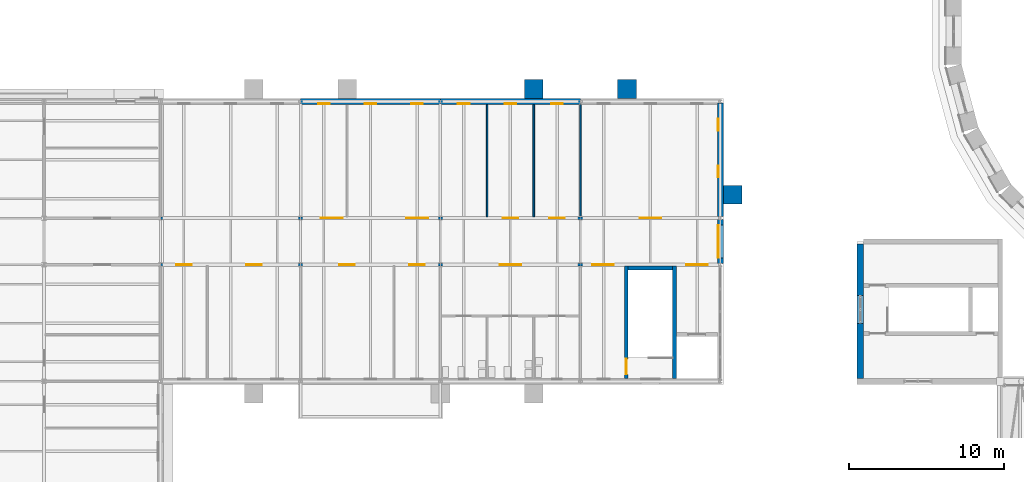
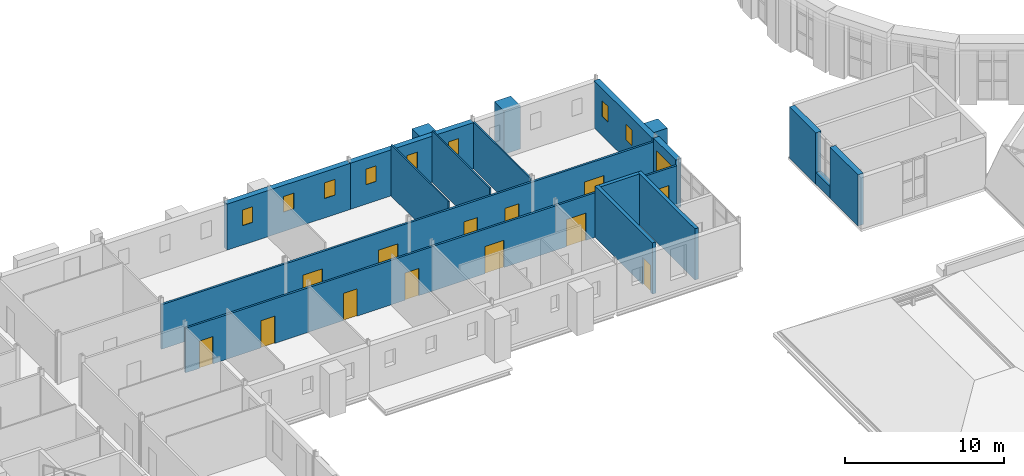
# One storey, part 94 of 121: 18 walls, 13 doors, 9 windows, 22 openings.
"""IFC4 building model written with IfcOpenShell, lengths in metres."""

from ifc_helpers import new_model, si_unit, direction, frame, frame_2d, origin, place, context, subcontext, project, spatial, rectangle, extrude, material, layer, layer_set, type_object, element, fill, save


model = new_model("IFC4")

# Units and contexts
model_context = context("Model", 3, precision=1e-05, world=origin(), true_north=direction((0.0, 1.0)))
body_context = subcontext(model_context, "Body", "Model", "MODEL_VIEW")
ifc_project = project(units=[si_unit("LENGTHUNIT", "METRE"), si_unit("AREAUNIT", "SQUARE_METRE"), si_unit("VOLUMEUNIT", "CUBIC_METRE"), si_unit("PLANEANGLEUNIT", "RADIAN"), si_unit("MASSUNIT", "GRAM", prefix="KILO")], contexts=[model_context])

# Site, building, storey
site_placement = place(None, origin())
site = spatial("IfcSite", under=ifc_project, at=site_placement, CompositionType="ELEMENT")
building_placement = place(site_placement, origin())
building = spatial("IfcBuilding", under=site, at=building_placement, Name="Golden Quay Civic Hall", CompositionType="ELEMENT")
storey_placement = place(building_placement, frame((0.0, 0.0, 18.60009765625)))
storey = spatial("IfcBuildingStorey", under=building, at=storey_placement, Name="L04", CompositionType="ELEMENT", Elevation=18.60009765625)

# Wall, openings, windows
ifc_material_1 = material(Name="Brick, dark clay facing", Category="masonry")
ifc_layer_1 = layer(ifc_material_1, 0.39990234375)
ifc_layer_set_1 = layer_set([ifc_layer_1], Name="Brick external wall 400")
wall_type_1 = type_object("IfcWallType", Name="Brick external wall 400", PredefinedType="STANDARD", material=ifc_layer_set_1)
wall_1_placement = place(storey_placement, frame((27.00830078125, 81.0, 0.0), z_axis=(0.0, 0.0, 1.0), x_axis=(1.0, 0.0, 0.0)))
wall_1 = element("IfcWall", 1, at=wall_1_placement, inside=storey, type_object=wall_type_1, Name="Brick external wall 400 L04 3", PredefinedType="STANDARD", context=body_context, shape_type="SweptSolid", body=[
    extrude(rectangle(XDim=8.9833984375, YDim=0.39990234375, at=frame_2d((4.49169921875, 0.0))), origin(), (0.0, 0.0, 1.0), 3.5498046875),
])
opening_1_placement = place(wall_1_placement, frame((1.11669921875, 0.0, 1.5)))
opening_1 = element("IfcOpeningElement", 2, at=opening_1_placement, cuts=wall_1, Name="Opening WN11", PredefinedType="OPENING", context=body_context, shape_type="SweptSolid", body=[
    extrude(rectangle(XDim=0.75, YDim=1.199951171875, at=frame_2d((0.375, 0.60009765625))), frame((0.0, 0.2099609375, 0.0), z_axis=(0.0, -1.0, 0.0), x_axis=(1.0, 0.0, 0.0)), (0.0, 0.0, 1.0), 0.419921875),
])
opening_2_placement = place(wall_1_placement, frame((4.11669921875, 0.0, 1.5)))
opening_2 = element("IfcOpeningElement", 3, at=opening_2_placement, cuts=wall_1, Name="Opening WN11", PredefinedType="OPENING", context=body_context, shape_type="SweptSolid", body=[
    extrude(rectangle(XDim=0.75, YDim=1.199951171875, at=frame_2d((0.375, 0.60009765625))), frame((0.0, 0.2099609375, 0.0), z_axis=(0.0, -1.0, 0.0), x_axis=(1.0, 0.0, 0.0)), (0.0, 0.0, 1.0), 0.419921875),
])
opening_3_placement = place(wall_1_placement, frame((7.11669921875, 0.0, 1.5)))
opening_3 = element("IfcOpeningElement", 4, at=opening_3_placement, cuts=wall_1, Name="Opening WN11", PredefinedType="OPENING", context=body_context, shape_type="SweptSolid", body=[
    extrude(rectangle(XDim=0.75, YDim=1.199951171875, at=frame_2d((0.375, 0.60009765625))), frame((0.0, 0.2099609375, 0.0), z_axis=(0.0, -1.0, 0.0), x_axis=(1.0, 0.0, 0.0)), (0.0, 0.0, 1.0), 0.419921875),
])
ifc_material_2 = material(Name="Aluminium frame, double glazed", Category="aluminium")
window_type_1 = type_object("IfcWindowType", Name="Attic pair window 750 x 1200", PartitioningType="SINGLE_PANEL", PredefinedType="WINDOW", material=ifc_material_2)
window_1_placement = place(opening_1_placement, origin())
window_1 = element("IfcWindow", 5, at=window_1_placement, inside=storey, type_object=window_type_1, Name="Attic pair window 750 x 1200 L04 4", OverallHeight=1.199951171875, OverallWidth=0.75, PartitioningType="SINGLE_PANEL", PredefinedType="WINDOW", context=body_context, shape_type="SweptSolid", body=[
    extrude(rectangle(XDim=0.75, YDim=1.199951171875, at=frame_2d((0.375, 0.60009765625))), frame((0.0, -0.119873046875, 0.0), z_axis=(0.0, -1.0, 0.0), x_axis=(1.0, 0.0, 0.0)), (0.0, 0.0, 1.0), 0.06005859375),
])
fill(opening_1, window_1)
window_2_placement = place(opening_2_placement, origin())
window_2 = element("IfcWindow", 6, at=window_2_placement, inside=storey, type_object=window_type_1, Name="Attic pair window 750 x 1200 L04 5", OverallHeight=1.199951171875, OverallWidth=0.75, PartitioningType="SINGLE_PANEL", PredefinedType="WINDOW", context=body_context, shape_type="SweptSolid", body=[
    extrude(rectangle(XDim=0.75, YDim=1.199951171875, at=frame_2d((0.375, 0.60009765625))), frame((0.0, -0.119873046875, 0.0), z_axis=(0.0, -1.0, 0.0), x_axis=(1.0, 0.0, 0.0)), (0.0, 0.0, 1.0), 0.06005859375),
])
fill(opening_2, window_2)
window_3_placement = place(opening_3_placement, origin())
window_3 = element("IfcWindow", 7, at=window_3_placement, inside=storey, type_object=window_type_1, Name="Attic pair window 750 x 1200 L04 6", OverallHeight=1.199951171875, OverallWidth=0.75, PartitioningType="SINGLE_PANEL", PredefinedType="WINDOW", context=body_context, shape_type="SweptSolid", body=[
    extrude(rectangle(XDim=0.75, YDim=1.199951171875, at=frame_2d((0.375, 0.60009765625))), frame((0.0, -0.119873046875, 0.0), z_axis=(0.0, -1.0, 0.0), x_axis=(1.0, 0.0, 0.0)), (0.0, 0.0, 1.0), 0.06005859375),
])
fill(opening_3, window_3)

wall_2_placement = place(storey_placement, frame((36.00830078125, 81.0, 0.0), z_axis=(0.0, 0.0, 1.0), x_axis=(1.0, 0.0, 0.0)))
wall_2 = element("IfcWall", 8, at=wall_2_placement, inside=storey, type_object=wall_type_1, Name="Brick external wall 400 L04 4", PredefinedType="STANDARD", context=body_context, shape_type="SweptSolid", body=[
    extrude(rectangle(XDim=8.9833984375, YDim=0.39990234375, at=frame_2d((4.49169921875, 0.0))), origin(), (0.0, 0.0, 1.0), 3.5498046875),
])
opening_4_placement = place(wall_2_placement, frame((1.11669921875, 0.0, 1.5)))
opening_4 = element("IfcOpeningElement", 9, at=opening_4_placement, cuts=wall_2, Name="Opening WN11", PredefinedType="OPENING", context=body_context, shape_type="SweptSolid", body=[
    extrude(rectangle(XDim=0.75, YDim=1.199951171875, at=frame_2d((0.375, 0.60009765625))), frame((0.0, 0.2099609375, 0.0), z_axis=(0.0, -1.0, 0.0), x_axis=(1.0, 0.0, 0.0)), (0.0, 0.0, 1.0), 0.419921875),
])
opening_5_placement = place(wall_2_placement, frame((4.11669921875, 0.0, 1.5)))
opening_5 = element("IfcOpeningElement", 10, at=opening_5_placement, cuts=wall_2, Name="Opening WN11", PredefinedType="OPENING", context=body_context, shape_type="SweptSolid", body=[
    extrude(rectangle(XDim=0.75, YDim=1.199951171875, at=frame_2d((0.375, 0.60009765625))), frame((0.0, 0.2099609375, 0.0), z_axis=(0.0, -1.0, 0.0), x_axis=(1.0, 0.0, 0.0)), (0.0, 0.0, 1.0), 0.419921875),
])
opening_6_placement = place(wall_2_placement, frame((7.11669921875, 0.0, 1.5)))
opening_6 = element("IfcOpeningElement", 11, at=opening_6_placement, cuts=wall_2, Name="Opening WN11", PredefinedType="OPENING", context=body_context, shape_type="SweptSolid", body=[
    extrude(rectangle(XDim=0.75, YDim=1.199951171875, at=frame_2d((0.375, 0.60009765625))), frame((0.0, 0.2099609375, 0.0), z_axis=(0.0, -1.0, 0.0), x_axis=(1.0, 0.0, 0.0)), (0.0, 0.0, 1.0), 0.419921875),
])
window_4_placement = place(opening_4_placement, origin())
window_4 = element("IfcWindow", 12, at=window_4_placement, inside=storey, type_object=window_type_1, Name="Attic pair window 750 x 1200 L04 7", OverallHeight=1.199951171875, OverallWidth=0.75, PartitioningType="SINGLE_PANEL", PredefinedType="WINDOW", context=body_context, shape_type="SweptSolid", body=[
    extrude(rectangle(XDim=0.75, YDim=1.199951171875, at=frame_2d((0.375, 0.60009765625))), frame((0.0, -0.119873046875, 0.0), z_axis=(0.0, -1.0, 0.0), x_axis=(1.0, 0.0, 0.0)), (0.0, 0.0, 1.0), 0.06005859375),
])
fill(opening_4, window_4)
window_5_placement = place(opening_5_placement, origin())
window_5 = element("IfcWindow", 13, at=window_5_placement, inside=storey, type_object=window_type_1, Name="Attic pair window 750 x 1200 L04 8", OverallHeight=1.199951171875, OverallWidth=0.75, PartitioningType="SINGLE_PANEL", PredefinedType="WINDOW", context=body_context, shape_type="SweptSolid", body=[
    extrude(rectangle(XDim=0.75, YDim=1.199951171875, at=frame_2d((0.375, 0.60009765625))), frame((0.0, -0.119873046875, 0.0), z_axis=(0.0, -1.0, 0.0), x_axis=(1.0, 0.0, 0.0)), (0.0, 0.0, 1.0), 0.06005859375),
])
fill(opening_5, window_5)
window_6_placement = place(opening_6_placement, origin())
window_6 = element("IfcWindow", 14, at=window_6_placement, inside=storey, type_object=window_type_1, Name="Attic pair window 750 x 1200 L04 9", OverallHeight=1.199951171875, OverallWidth=0.75, PartitioningType="SINGLE_PANEL", PredefinedType="WINDOW", context=body_context, shape_type="SweptSolid", body=[
    extrude(rectangle(XDim=0.75, YDim=1.199951171875, at=frame_2d((0.375, 0.60009765625))), frame((0.0, -0.119873046875, 0.0), z_axis=(0.0, -1.0, 0.0), x_axis=(1.0, 0.0, 0.0)), (0.0, 0.0, 1.0), 0.06005859375),
])
fill(opening_6, window_6)

# Wall, opening, window
wall_3_placement = place(storey_placement, frame((54.0, 73.405029296875, 0.0), z_axis=(0.0, 0.0, 1.0), x_axis=(0.0, -1.0, 0.0)))
wall_3 = element("IfcWall", 15, at=wall_3_placement, inside=storey, type_object=wall_type_1, Name="Brick external wall 400 L04 6", PredefinedType="STANDARD", context=body_context, shape_type="SweptSolid", body=[
    extrude(rectangle(XDim=2.81005859375, YDim=0.39990234375, at=frame_2d((1.405029296875, 0.0))), origin(), (0.0, 0.0, 1.0), 3.75),
])
opening_7_placement = place(wall_3_placement, frame((0.35498046875, 0.0, 0.89990234375)))
opening_7 = element("IfcOpeningElement", 16, at=opening_7_placement, cuts=wall_3, Name="Opening WN2", PredefinedType="OPENING", context=body_context, shape_type="SweptSolid", body=[
    extrude(rectangle(XDim=2.10009765625, YDim=2.10009765625, at=frame_2d((1.050048828125, 1.050048828125))), frame((0.0, 0.2099609375, 0.0), z_axis=(0.0, -1.0, 0.0), x_axis=(1.0, 0.0, 0.0)), (0.0, 0.0, 1.0), 0.419921875),
])
ifc_material_3 = material(Name="Aluminium frame, double glazed", Category="aluminium")
window_type_2 = type_object("IfcWindowType", Name="Corridor end window 2100 x 2100", PartitioningType="SINGLE_PANEL", PredefinedType="WINDOW", material=ifc_material_3)
window_7_placement = place(opening_7_placement, origin())
window_7 = element("IfcWindow", 17, at=window_7_placement, inside=storey, type_object=window_type_2, Name="Corridor end window 2100 x 2100 L04 1", OverallHeight=2.10009765625, OverallWidth=2.10009765625, PartitioningType="SINGLE_PANEL", PredefinedType="WINDOW", context=body_context, shape_type="SweptSolid", body=[
    extrude(rectangle(XDim=2.10009765625, YDim=2.10009765625, at=frame_2d((1.050048828125, 1.050048828125))), frame((0.0, -0.119873046875, 0.0), z_axis=(0.0, -1.0, 0.0), x_axis=(1.0, 0.0, 0.0)), (0.0, 0.0, 1.0), 0.06005859375),
])
fill(opening_7, window_7)

# Wall, openings, windows
wall_4_placement = place(storey_placement, frame((54.0, 80.905029296875, 0.0), z_axis=(0.0, 0.0, 1.0), x_axis=(0.0, -1.0, 0.0)))
wall_4 = element("IfcWall", 18, at=wall_4_placement, inside=storey, type_object=wall_type_1, Name="Brick external wall 400 L04 7", PredefinedType="STANDARD", context=body_context, shape_type="SweptSolid", body=[
    extrude(rectangle(XDim=7.31005859375, YDim=0.39990234375, at=frame_2d((3.655029296875, 0.0))), origin(), (0.0, 0.0, 1.0), 3.619873046875),
])
opening_8_placement = place(wall_4_placement, frame((4.030029296875, 0.0, 1.5)))
opening_8 = element("IfcOpeningElement", 19, at=opening_8_placement, cuts=wall_4, Name="Opening WN11", PredefinedType="OPENING", context=body_context, shape_type="SweptSolid", body=[
    extrude(rectangle(XDim=0.75, YDim=1.199951171875, at=frame_2d((0.375, 0.60009765625))), frame((0.0, 0.2099609375, 0.0), z_axis=(0.0, -1.0, 0.0), x_axis=(1.0, 0.0, 0.0)), (0.0, 0.0, 1.0), 0.419921875),
])
opening_9_placement = place(wall_4_placement, frame((1.030029296875, 0.0, 1.5)))
opening_9 = element("IfcOpeningElement", 20, at=opening_9_placement, cuts=wall_4, Name="Opening WN11", PredefinedType="OPENING", context=body_context, shape_type="SweptSolid", body=[
    extrude(rectangle(XDim=0.75, YDim=1.199951171875, at=frame_2d((0.375, 0.60009765625))), frame((0.0, 0.2099609375, 0.0), z_axis=(0.0, -1.0, 0.0), x_axis=(1.0, 0.0, 0.0)), (0.0, 0.0, 1.0), 0.419921875),
])
window_8_placement = place(opening_8_placement, origin())
window_8 = element("IfcWindow", 21, at=window_8_placement, inside=storey, type_object=window_type_1, Name="Attic pair window 750 x 1200 L04 13", OverallHeight=1.199951171875, OverallWidth=0.75, PartitioningType="SINGLE_PANEL", PredefinedType="WINDOW", context=body_context, shape_type="SweptSolid", body=[
    extrude(rectangle(XDim=0.75, YDim=1.199951171875, at=frame_2d((0.375, 0.60009765625))), frame((0.0, -0.119873046875, 0.0), z_axis=(0.0, -1.0, 0.0), x_axis=(1.0, 0.0, 0.0)), (0.0, 0.0, 1.0), 0.06005859375),
])
fill(opening_8, window_8)
window_9_placement = place(opening_9_placement, origin())
window_9 = element("IfcWindow", 22, at=window_9_placement, inside=storey, type_object=window_type_1, Name="Attic pair window 750 x 1200 L04 14", OverallHeight=1.199951171875, OverallWidth=0.75, PartitioningType="SINGLE_PANEL", PredefinedType="WINDOW", context=body_context, shape_type="SweptSolid", body=[
    extrude(rectangle(XDim=0.75, YDim=1.199951171875, at=frame_2d((0.375, 0.60009765625))), frame((0.0, -0.119873046875, 0.0), z_axis=(0.0, -1.0, 0.0), x_axis=(1.0, 0.0, 0.0)), (0.0, 0.0, 1.0), 0.06005859375),
])
fill(opening_9, window_9)

# Walls
ifc_material_4 = material(Name="Brick, dark clay facing", Category="masonry")
ifc_layer_2 = layer(ifc_material_4, 1.199951171875)
ifc_layer_set_2 = layer_set([ifc_layer_2], Name="Brick pilaster 1200 x 1200")
wall_type_2 = type_object("IfcWallType", Name="Brick pilaster 1200 x 1200", PredefinedType="STANDARD", material=ifc_layer_set_2)
for number, where, z_axis, x_axis, name in (
    (23, (41.39990234375, 81.800048828125, 0.0), (0.0, 0.0, 1.0), (1.0, 0.0, 0.0), "Brick pilaster 1200 x 1200 L04 3"),
    (24, (47.39990234375, 81.800048828125, 0.0), (0.0, 0.0, 1.0), (1.0, 0.0, 0.0), "Brick pilaster 1200 x 1200 L04 4"),
    (25, (54.800048828125, 74.39990234375, 0.0), (0.0, 0.0, 1.0), (0.0, 1.0, 0.0), "Brick pilaster 1200 x 1200 L04 5"),
):
    element("IfcWall", number, at=place(storey_placement, frame(where, z_axis=z_axis, x_axis=x_axis)), inside=storey, type_object=wall_type_2, Name=name, PredefinedType="STANDARD", context=body_context, shape_type="SweptSolid", body=[
        extrude(rectangle(XDim=1.2001953125, YDim=1.199951171875, at=frame_2d((0.60009765625, 0.0))), origin(), (0.0, 0.0, 1.0), 3.349853515625),
    ])

# Wall, opening, door
ifc_material_5 = material(Name="Concrete C40/50", Category="concrete")
ifc_layer_3 = layer(ifc_material_5, 0.25)
ifc_layer_set_3 = layer_set([ifc_layer_3], Name="Concrete core wall 250, Concrete C40/50")
wall_type_3 = type_object("IfcWallType", Name="Concrete core wall 250", PredefinedType="SHEAR", material=ifc_layer_set_3)
wall_5_placement = place(storey_placement, frame((47.949951171875, 63.199951171875, 0.0), z_axis=(0.0, 0.0, 1.0), x_axis=(0.0, 1.0, 0.0)))
wall_5 = element("IfcWall", 26, at=wall_5_placement, inside=storey, type_object=wall_type_3, Name="Core wall NW-E-W1", PredefinedType="SHEAR", context=body_context, shape_type="SweptSolid", body=[
    extrude(rectangle(XDim=7.22509765625, YDim=0.25, at=frame_2d((3.612548828125, 0.0))), origin(), (0.0, 0.0, 1.0), 3.949951171875),
])
opening_10_placement = place(wall_5_placement, frame((0.25, 0.0, 0.0)))
opening_10 = element("IfcOpeningElement", 27, at=opening_10_placement, cuts=wall_5, Name="Opening L04-D057", PredefinedType="OPENING", context=body_context, shape_type="SweptSolid", body=[
    extrude(rectangle(XDim=1.0, YDim=2.10009765625, at=frame_2d((0.5, 1.050048828125))), frame((0.0, 0.135009765625, 0.0), z_axis=(0.0, -1.0, 0.0), x_axis=(1.0, 0.0, 0.0)), (0.0, 0.0, 1.0), 0.27001953125),
])
ifc_material_6 = material(Name="Steel", Category="steel")
door_type_1 = type_object("IfcDoorType", Name="Steel fire door FD60 1000 x 2100", OperationType="SINGLE_SWING_LEFT", PredefinedType="DOOR", material=ifc_material_6)
door_1_placement = place(opening_10_placement, frame((1.0, 0.0, 0.0), z_axis=(0.0, 0.0, 1.0), x_axis=(-1.0, 0.0, 0.0)))
door_1 = element("IfcDoor", 28, at=door_1_placement, inside=storey, type_object=door_type_1, Name="Door L04-D057", OperationType="SINGLE_SWING_RIGHT", OverallHeight=2.10009765625, OverallWidth=1.0, PredefinedType="DOOR", context=body_context, shape_type="SweptSolid", body=[
    extrude(rectangle(XDim=1.0, YDim=2.10009765625, at=frame_2d((0.5, 1.050048828125))), frame((0.0, 0.025146484375, 0.0), z_axis=(0.0, -1.0, 0.0), x_axis=(1.0, 0.0, 0.0)), (0.0, 0.0, 1.0), 0.050048828125),
])
fill(opening_10, door_1)

# Walls
wall_6_placement = place(storey_placement, frame((51.050048828125, 63.199951171875, 0.0), z_axis=(0.0, 0.0, 1.0), x_axis=(0.0, 1.0, 0.0)))
element("IfcWall", 29, at=wall_6_placement, inside=storey, type_object=wall_type_3, Name="Core wall NW-E-W2", PredefinedType="SHEAR", context=body_context, shape_type="SweptSolid", body=[
    extrude(rectangle(XDim=7.22509765625, YDim=0.25, at=frame_2d((3.612548828125, 0.0))), origin(), (0.0, 0.0, 1.0), 3.949951171875),
])
wall_7_placement = place(storey_placement, frame((48.074951171875, 70.300048828125, 0.0), z_axis=(0.0, 0.0, 1.0), x_axis=(1.0, 0.0, 0.0)))
element("IfcWall", 30, at=wall_7_placement, inside=storey, type_object=wall_type_3, Name="Core wall NW-E-W3", PredefinedType="SHEAR", context=body_context, shape_type="SweptSolid", body=[
    extrude(rectangle(XDim=2.85009765625, YDim=0.25, at=frame_2d((1.425048828125, 0.0))), origin(), (0.0, 0.0, 1.0), 3.949951171875),
])
ifc_material_7 = material(Name="Plasterboard on steel studs", Category="steel")
ifc_layer_4 = layer(ifc_material_7, 0.10009765625)
ifc_layer_set_4 = layer_set([ifc_layer_4], Name="Partition 100 stud")
wall_type_4 = type_object("IfcWallType", Name="Partition 100 stud", PredefinedType="PARTITIONING", material=ifc_layer_set_4)
for number, where, z_axis, x_axis, name in (
    (31, (39.0, 73.574951171875, 0.0), (0.0, 0.0, 1.0), (0.0, 1.0, 0.0), "Partition L04-005"),
    (32, (42.0, 73.574951171875, 0.0), (0.0, 0.0, 1.0), (0.0, 1.0, 0.0), "Partition L04-006"),
):
    element("IfcWall", number, at=place(storey_placement, frame(where, z_axis=z_axis, x_axis=x_axis)), inside=storey, type_object=wall_type_4, Name=name, PredefinedType="PARTITIONING", context=body_context, shape_type="SweptSolid", body=[
        extrude(rectangle(XDim=7.22509765625, YDim=0.10009765625, at=frame_2d((3.612548828125, 0.0))), origin(), (0.0, 0.0, 1.0), 3.949951171875),
    ])
wall_8_placement = place(storey_placement, frame((45.0, 73.574951171875, 0.0), z_axis=(0.0, 0.0, 1.0), x_axis=(0.0, 1.0, 0.0)))
element("IfcWall", 33, at=wall_8_placement, inside=storey, type_object=wall_type_4, Name="Partition L04-007", PredefinedType="PARTITIONING", context=body_context, shape_type="SweptSolid", body=[
    extrude(rectangle(XDim=7.22509765625, YDim=0.10009765625, at=frame_2d((3.612548828125, 0.0))), origin(), (0.0, 0.0, 1.0), 3.599853515625),
])

# Wall, openings, doors
ifc_material_8 = material(Name="Plasterboard on steel studs", Category="steel")
ifc_layer_5 = layer(ifc_material_8, 0.14990234375)
ifc_layer_set_5 = layer_set([ifc_layer_5], Name="Partition 150 stud fire EI 60")
wall_type_5 = type_object("IfcWallType", Name="Partition 150 stud fire EI 60", PredefinedType="PARTITIONING", material=ifc_layer_set_5)
wall_9_placement = place(storey_placement, frame((18.0, 70.5, 0.0), z_axis=(0.0, 0.0, 1.0), x_axis=(1.0, 0.0, 0.0)))
wall_9 = element("IfcWall", 34, at=wall_9_placement, inside=storey, type_object=wall_type_5, Name="Partition L04-009", PredefinedType="PARTITIONING", context=body_context, shape_type="SweptSolid", body=[
    extrude(rectangle(XDim=35.800048828125, YDim=0.14990234375, at=frame_2d((17.89990234375, 0.0))), origin(), (0.0, 0.0, 1.0), 3.429931640625),
])
opening_11_placement = place(wall_9_placement, frame((1.0, 0.0, 0.0)))
opening_11 = element("IfcOpeningElement", 35, at=opening_11_placement, cuts=wall_9, Name="Opening L04-D044", PredefinedType="OPENING", context=body_context, shape_type="SweptSolid", body=[
    extrude(rectangle(XDim=1.0, YDim=2.10009765625, at=frame_2d((0.5, 1.050048828125))), frame((0.0, 0.0849609375, 0.0), z_axis=(0.0, -1.0, 0.0), x_axis=(1.0, 0.0, 0.0)), (0.0, 0.0, 1.0), 0.169921875),
])
opening_12_placement = place(wall_9_placement, frame((5.5, 0.0, 0.0)))
opening_12 = element("IfcOpeningElement", 36, at=opening_12_placement, cuts=wall_9, Name="Opening L04-D045", PredefinedType="OPENING", context=body_context, shape_type="SweptSolid", body=[
    extrude(rectangle(XDim=1.0, YDim=2.10009765625, at=frame_2d((0.5, 1.050048828125))), frame((0.0, 0.0849609375, 0.0), z_axis=(0.0, -1.0, 0.0), x_axis=(1.0, 0.0, 0.0)), (0.0, 0.0, 1.0), 0.169921875),
])
opening_13_placement = place(wall_9_placement, frame((11.5, 0.0, 0.0)))
opening_13 = element("IfcOpeningElement", 37, at=opening_13_placement, cuts=wall_9, Name="Opening L04-D046", PredefinedType="OPENING", context=body_context, shape_type="SweptSolid", body=[
    extrude(rectangle(XDim=1.0, YDim=2.10009765625, at=frame_2d((0.5, 1.050048828125))), frame((0.0, 0.0849609375, 0.0), z_axis=(0.0, -1.0, 0.0), x_axis=(1.0, 0.0, 0.0)), (0.0, 0.0, 1.0), 0.169921875),
])
opening_14_placement = place(wall_9_placement, frame((16.0, 0.0, 0.0)))
opening_14 = element("IfcOpeningElement", 38, at=opening_14_placement, cuts=wall_9, Name="Opening L04-D047", PredefinedType="OPENING", context=body_context, shape_type="SweptSolid", body=[
    extrude(rectangle(XDim=1.0, YDim=2.10009765625, at=frame_2d((0.5, 1.050048828125))), frame((0.0, 0.0849609375, 0.0), z_axis=(0.0, -1.0, 0.0), x_axis=(1.0, 0.0, 0.0)), (0.0, 0.0, 1.0), 0.169921875),
])
opening_15_placement = place(wall_9_placement, frame((21.800048828125, 0.0, 0.0)))
opening_15 = element("IfcOpeningElement", 39, at=opening_15_placement, cuts=wall_9, Name="Opening L04-D053", PredefinedType="OPENING", context=body_context, shape_type="SweptSolid", body=[
    extrude(rectangle(XDim=1.39990234375, YDim=2.10009765625, at=frame_2d((0.699951171875, 1.050048828125))), frame((0.0, 0.0849609375, 0.0), z_axis=(0.0, -1.0, 0.0), x_axis=(1.0, 0.0, 0.0)), (0.0, 0.0, 1.0), 0.169921875),
])
opening_16_placement = place(wall_9_placement, frame((27.75, 0.0, 0.0)))
opening_16 = element("IfcOpeningElement", 40, at=opening_16_placement, cuts=wall_9, Name="Opening L04-D058", PredefinedType="OPENING", context=body_context, shape_type="SweptSolid", body=[
    extrude(rectangle(XDim=1.39990234375, YDim=2.10009765625, at=frame_2d((0.699951171875, 1.050048828125))), frame((0.0, 0.0849609375, 0.0), z_axis=(0.0, -1.0, 0.0), x_axis=(1.0, 0.0, 0.0)), (0.0, 0.0, 1.0), 0.169921875),
])
opening_17_placement = place(wall_9_placement, frame((33.800048828125, 0.0, 0.0)))
opening_17 = element("IfcOpeningElement", 41, at=opening_17_placement, cuts=wall_9, Name="Opening L04-D059", PredefinedType="OPENING", context=body_context, shape_type="SweptSolid", body=[
    extrude(rectangle(XDim=1.39990234375, YDim=2.10009765625, at=frame_2d((0.699951171875, 1.050048828125))), frame((0.0, 0.0849609375, 0.0), z_axis=(0.0, -1.0, 0.0), x_axis=(1.0, 0.0, 0.0)), (0.0, 0.0, 1.0), 0.169921875),
])
ifc_material_9 = material(Name="Steel", Category="steel")
door_type_2 = type_object("IfcDoorType", Name="Steel double fire door FD30S 1400 x 2100", OperationType="DOUBLE_DOOR_SINGLE_SWING", PredefinedType="DOOR", material=ifc_material_9)
door_2_placement = place(opening_15_placement, frame((1.39990234375, 0.0, 0.0), z_axis=(0.0, 0.0, 1.0), x_axis=(-1.0, 0.0, 0.0)))
door_2 = element("IfcDoor", 42, at=door_2_placement, inside=storey, type_object=door_type_2, Name="Door L04-D053", OperationType="DOUBLE_DOOR_SINGLE_SWING", OverallHeight=2.10009765625, OverallWidth=1.39990234375, PredefinedType="DOOR", context=body_context, shape_type="SweptSolid", body=[
    extrude(rectangle(XDim=1.39990234375, YDim=2.10009765625, at=frame_2d((0.699951171875, 1.050048828125))), frame((0.0, 0.025146484375, 0.0), z_axis=(0.0, -1.0, 0.0), x_axis=(1.0, 0.0, 0.0)), (0.0, 0.0, 1.0), 0.050048828125),
])
fill(opening_15, door_2)
door_3_placement = place(opening_16_placement, origin())
door_3 = element("IfcDoor", 43, at=door_3_placement, inside=storey, type_object=door_type_2, Name="Door L04-D058", OperationType="DOUBLE_DOOR_SINGLE_SWING", OverallHeight=2.10009765625, OverallWidth=1.39990234375, PredefinedType="DOOR", context=body_context, shape_type="SweptSolid", body=[
    extrude(rectangle(XDim=1.39990234375, YDim=2.10009765625, at=frame_2d((0.699951171875, 1.050048828125))), frame((0.0, 0.02490234375, 0.0), z_axis=(0.0, -1.0, 0.0), x_axis=(1.0, 0.0, 0.0)), (0.0, 0.0, 1.0), 0.050048828125),
])
fill(opening_16, door_3)
door_4_placement = place(opening_17_placement, origin())
door_4 = element("IfcDoor", 44, at=door_4_placement, inside=storey, type_object=door_type_2, Name="Door L04-D059", OperationType="DOUBLE_DOOR_SINGLE_SWING", OverallHeight=2.10009765625, OverallWidth=1.39990234375, PredefinedType="DOOR", context=body_context, shape_type="SweptSolid", body=[
    extrude(rectangle(XDim=1.39990234375, YDim=2.10009765625, at=frame_2d((0.699951171875, 1.050048828125))), frame((0.0, 0.02490234375, 0.0), z_axis=(0.0, -1.0, 0.0), x_axis=(1.0, 0.0, 0.0)), (0.0, 0.0, 1.0), 0.050048828125),
])
fill(opening_17, door_4)
ifc_material_10 = material(Name="Steel", Category="steel")
door_type_3 = type_object("IfcDoorType", Name="Steel fire door FD30S 1000 x 2100", OperationType="SINGLE_SWING_LEFT", PredefinedType="DOOR", material=ifc_material_10)
door_5_placement = place(opening_11_placement, frame((1.0, 0.0, 0.0), z_axis=(0.0, 0.0, 1.0), x_axis=(-1.0, 0.0, 0.0)))
door_5 = element("IfcDoor", 45, at=door_5_placement, inside=storey, type_object=door_type_3, Name="Door L04-D044", OperationType="SINGLE_SWING_RIGHT", OverallHeight=2.10009765625, OverallWidth=1.0, PredefinedType="DOOR", context=body_context, shape_type="SweptSolid", body=[
    extrude(rectangle(XDim=1.0, YDim=2.10009765625, at=frame_2d((0.5, 1.050048828125))), frame((0.0, 0.025146484375, 0.0), z_axis=(0.0, -1.0, 0.0), x_axis=(1.0, 0.0, 0.0)), (0.0, 0.0, 1.0), 0.050048828125),
])
fill(opening_11, door_5)
door_6_placement = place(opening_12_placement, frame((1.0, 0.0, 0.0), z_axis=(0.0, 0.0, 1.0), x_axis=(-1.0, 0.0, 0.0)))
door_6 = element("IfcDoor", 46, at=door_6_placement, inside=storey, type_object=door_type_3, Name="Door L04-D045", OperationType="SINGLE_SWING_RIGHT", OverallHeight=2.10009765625, OverallWidth=1.0, PredefinedType="DOOR", context=body_context, shape_type="SweptSolid", body=[
    extrude(rectangle(XDim=1.0, YDim=2.10009765625, at=frame_2d((0.5, 1.050048828125))), frame((0.0, 0.025146484375, 0.0), z_axis=(0.0, -1.0, 0.0), x_axis=(1.0, 0.0, 0.0)), (0.0, 0.0, 1.0), 0.050048828125),
])
fill(opening_12, door_6)
door_7_placement = place(opening_13_placement, frame((1.0, 0.0, 0.0), z_axis=(0.0, 0.0, 1.0), x_axis=(-1.0, 0.0, 0.0)))
door_7 = element("IfcDoor", 47, at=door_7_placement, inside=storey, type_object=door_type_3, Name="Door L04-D046", OperationType="SINGLE_SWING_RIGHT", OverallHeight=2.10009765625, OverallWidth=1.0, PredefinedType="DOOR", context=body_context, shape_type="SweptSolid", body=[
    extrude(rectangle(XDim=1.0, YDim=2.10009765625, at=frame_2d((0.5, 1.050048828125))), frame((0.0, 0.025146484375, 0.0), z_axis=(0.0, -1.0, 0.0), x_axis=(1.0, 0.0, 0.0)), (0.0, 0.0, 1.0), 0.050048828125),
])
fill(opening_13, door_7)
door_8_placement = place(opening_14_placement, frame((1.0, 0.0, 0.0), z_axis=(0.0, 0.0, 1.0), x_axis=(-1.0, 0.0, 0.0)))
door_8 = element("IfcDoor", 48, at=door_8_placement, inside=storey, type_object=door_type_3, Name="Door L04-D047", OperationType="SINGLE_SWING_RIGHT", OverallHeight=2.10009765625, OverallWidth=1.0, PredefinedType="DOOR", context=body_context, shape_type="SweptSolid", body=[
    extrude(rectangle(XDim=1.0, YDim=2.10009765625, at=frame_2d((0.5, 1.050048828125))), frame((0.0, 0.025146484375, 0.0), z_axis=(0.0, -1.0, 0.0), x_axis=(1.0, 0.0, 0.0)), (0.0, 0.0, 1.0), 0.050048828125),
])
fill(opening_14, door_8)

wall_10_placement = place(storey_placement, frame((18.0, 73.5, 0.0), z_axis=(0.0, 0.0, 1.0), x_axis=(1.0, 0.0, 0.0)))
wall_10 = element("IfcWall", 49, at=wall_10_placement, inside=storey, type_object=wall_type_5, Name="Partition L04-010", PredefinedType="PARTITIONING", context=body_context, shape_type="SweptSolid", body=[
    extrude(rectangle(XDim=35.800048828125, YDim=0.14990234375, at=frame_2d((17.89990234375, 0.0))), origin(), (0.0, 0.0, 1.0), 3.429931640625),
])
opening_18_placement = place(wall_10_placement, frame((10.300048828125, 0.0, 0.0)))
opening_18 = element("IfcOpeningElement", 50, at=opening_18_placement, cuts=wall_10, Name="Opening L04-D048", PredefinedType="OPENING", context=body_context, shape_type="SweptSolid", body=[
    extrude(rectangle(XDim=1.39990234375, YDim=2.10009765625, at=frame_2d((0.699951171875, 1.050048828125))), frame((0.0, 0.0849609375, 0.0), z_axis=(0.0, -1.0, 0.0), x_axis=(1.0, 0.0, 0.0)), (0.0, 0.0, 1.0), 0.169921875),
])
opening_19_placement = place(wall_10_placement, frame((15.800048828125, 0.0, 0.0)))
opening_19 = element("IfcOpeningElement", 51, at=opening_19_placement, cuts=wall_10, Name="Opening L04-D049", PredefinedType="OPENING", context=body_context, shape_type="SweptSolid", body=[
    extrude(rectangle(XDim=1.39990234375, YDim=2.10009765625, at=frame_2d((0.699951171875, 1.050048828125))), frame((0.0, 0.0849609375, 0.0), z_axis=(0.0, -1.0, 0.0), x_axis=(1.0, 0.0, 0.0)), (0.0, 0.0, 1.0), 0.169921875),
])
opening_20_placement = place(wall_10_placement, frame((22.0, 0.0, 0.0)))
opening_20 = element("IfcOpeningElement", 52, at=opening_20_placement, cuts=wall_10, Name="Opening L04-D050", PredefinedType="OPENING", context=body_context, shape_type="SweptSolid", body=[
    extrude(rectangle(XDim=1.0, YDim=2.10009765625, at=frame_2d((0.5, 1.050048828125))), frame((0.0, 0.0849609375, 0.0), z_axis=(0.0, -1.0, 0.0), x_axis=(1.0, 0.0, 0.0)), (0.0, 0.0, 1.0), 0.169921875),
])
opening_21_placement = place(wall_10_placement, frame((25.0, 0.0, 0.0)))
opening_21 = element("IfcOpeningElement", 53, at=opening_21_placement, cuts=wall_10, Name="Opening L04-D051", PredefinedType="OPENING", context=body_context, shape_type="SweptSolid", body=[
    extrude(rectangle(XDim=1.0, YDim=2.10009765625, at=frame_2d((0.5, 1.050048828125))), frame((0.0, 0.0849609375, 0.0), z_axis=(0.0, -1.0, 0.0), x_axis=(1.0, 0.0, 0.0)), (0.0, 0.0, 1.0), 0.169921875),
])
opening_22_placement = place(wall_10_placement, frame((30.800048828125, 0.0, 0.0)))
opening_22 = element("IfcOpeningElement", 54, at=opening_22_placement, cuts=wall_10, Name="Opening L04-D052", PredefinedType="OPENING", context=body_context, shape_type="SweptSolid", body=[
    extrude(rectangle(XDim=1.39990234375, YDim=2.10009765625, at=frame_2d((0.699951171875, 1.050048828125))), frame((0.0, 0.0849609375, 0.0), z_axis=(0.0, -1.0, 0.0), x_axis=(1.0, 0.0, 0.0)), (0.0, 0.0, 1.0), 0.169921875),
])
door_9_placement = place(opening_18_placement, origin())
door_9 = element("IfcDoor", 55, at=door_9_placement, inside=storey, type_object=door_type_2, Name="Door L04-D048", OperationType="DOUBLE_DOOR_SINGLE_SWING", OverallHeight=2.10009765625, OverallWidth=1.39990234375, PredefinedType="DOOR", context=body_context, shape_type="SweptSolid", body=[
    extrude(rectangle(XDim=1.39990234375, YDim=2.10009765625, at=frame_2d((0.699951171875, 1.050048828125))), frame((0.0, 0.02490234375, 0.0), z_axis=(0.0, -1.0, 0.0), x_axis=(1.0, 0.0, 0.0)), (0.0, 0.0, 1.0), 0.050048828125),
])
fill(opening_18, door_9)
door_10_placement = place(opening_19_placement, origin())
door_10 = element("IfcDoor", 56, at=door_10_placement, inside=storey, type_object=door_type_2, Name="Door L04-D049", OperationType="DOUBLE_DOOR_SINGLE_SWING", OverallHeight=2.10009765625, OverallWidth=1.39990234375, PredefinedType="DOOR", context=body_context, shape_type="SweptSolid", body=[
    extrude(rectangle(XDim=1.39990234375, YDim=2.10009765625, at=frame_2d((0.699951171875, 1.050048828125))), frame((0.0, 0.02490234375, 0.0), z_axis=(0.0, -1.0, 0.0), x_axis=(1.0, 0.0, 0.0)), (0.0, 0.0, 1.0), 0.050048828125),
])
fill(opening_19, door_10)
door_11_placement = place(opening_22_placement, origin())
door_11 = element("IfcDoor", 57, at=door_11_placement, inside=storey, type_object=door_type_2, Name="Door L04-D052", OperationType="DOUBLE_DOOR_SINGLE_SWING", OverallHeight=2.10009765625, OverallWidth=1.39990234375, PredefinedType="DOOR", context=body_context, shape_type="SweptSolid", body=[
    extrude(rectangle(XDim=1.39990234375, YDim=2.10009765625, at=frame_2d((0.699951171875, 1.050048828125))), frame((0.0, 0.02490234375, 0.0), z_axis=(0.0, -1.0, 0.0), x_axis=(1.0, 0.0, 0.0)), (0.0, 0.0, 1.0), 0.050048828125),
])
fill(opening_22, door_11)
door_12_placement = place(opening_20_placement, origin())
door_12 = element("IfcDoor", 58, at=door_12_placement, inside=storey, type_object=door_type_3, Name="Door L04-D050", OperationType="SINGLE_SWING_LEFT", OverallHeight=2.10009765625, OverallWidth=1.0, PredefinedType="DOOR", context=body_context, shape_type="SweptSolid", body=[
    extrude(rectangle(XDim=1.0, YDim=2.10009765625, at=frame_2d((0.5, 1.050048828125))), frame((0.0, 0.02490234375, 0.0), z_axis=(0.0, -1.0, 0.0), x_axis=(1.0, 0.0, 0.0)), (0.0, 0.0, 1.0), 0.050048828125),
])
fill(opening_20, door_12)
door_13_placement = place(opening_21_placement, origin())
door_13 = element("IfcDoor", 59, at=door_13_placement, inside=storey, type_object=door_type_3, Name="Door L04-D051", OperationType="SINGLE_SWING_LEFT", OverallHeight=2.10009765625, OverallWidth=1.0, PredefinedType="DOOR", context=body_context, shape_type="SweptSolid", body=[
    extrude(rectangle(XDim=1.0, YDim=2.10009765625, at=frame_2d((0.5, 1.050048828125))), frame((0.0, 0.02490234375, 0.0), z_axis=(0.0, -1.0, 0.0), x_axis=(1.0, 0.0, 0.0)), (0.0, 0.0, 1.0), 0.050048828125),
])
fill(opening_21, door_13)

# Walls
ifc_material_11 = material(Name="Brick masonry with render", Category="masonry")
ifc_layer_6 = layer(ifc_material_11, 0.39990234375)
ifc_layer_set_6 = layer_set([ifc_layer_6], Name="Rendered brick external wall 400 fire EI 120")
wall_type_6 = type_object("IfcWallType", Name="Rendered brick external wall 400 fire EI 120", PredefinedType="STANDARD", material=ifc_layer_set_6)
wall_11_placement = place(storey_placement, frame((63.0, 63.199951171875, 0.0), z_axis=(0.0, 0.0, 1.0), x_axis=(0.0, 1.0, 0.0)))
element("IfcWall", 60, at=wall_11_placement, inside=storey, type_object=wall_type_6, Name="Pocket wall SW 2", PredefinedType="STANDARD", context=body_context, shape_type="SweptSolid", body=[
    extrude(rectangle(XDim=3.525146484375, YDim=0.39990234375, at=frame_2d((1.7626953125, 0.0))), origin(), (0.0, 0.0, 1.0), 3.949951171875),
])
wall_12_placement = place(storey_placement, frame((63.0, 68.52490234375, 0.0), z_axis=(0.0, 0.0, 1.0), x_axis=(0.0, 1.0, 0.0)))
element("IfcWall", 61, at=wall_12_placement, inside=storey, type_object=wall_type_6, Name="Pocket wall SW 2 (beyond the bay)", PredefinedType="STANDARD", context=body_context, shape_type="SweptSolid", body=[
    extrude(rectangle(XDim=3.3251953125, YDim=0.39990234375, at=frame_2d((1.66259765625, 0.0))), origin(), (0.0, 0.0, 1.0), 3.949951171875),
])
wall_13_placement = place(storey_placement, frame((63.0, 66.72509765625, 0.0), z_axis=(0.0, 0.0, 1.0), x_axis=(0.0, 1.0, 0.0)))
element("IfcWall", 62, at=wall_13_placement, inside=storey, type_object=wall_type_6, Name="Pocket wall SW 2 sill", PredefinedType="STANDARD", context=body_context, shape_type="SweptSolid", body=[
    extrude(rectangle(XDim=1.7998046875, YDim=0.39990234375, at=frame_2d((0.89990234375, 0.0))), origin(), (0.0, 0.0, 1.0), 0.89990234375),
])

save(model, "model.ifc")
